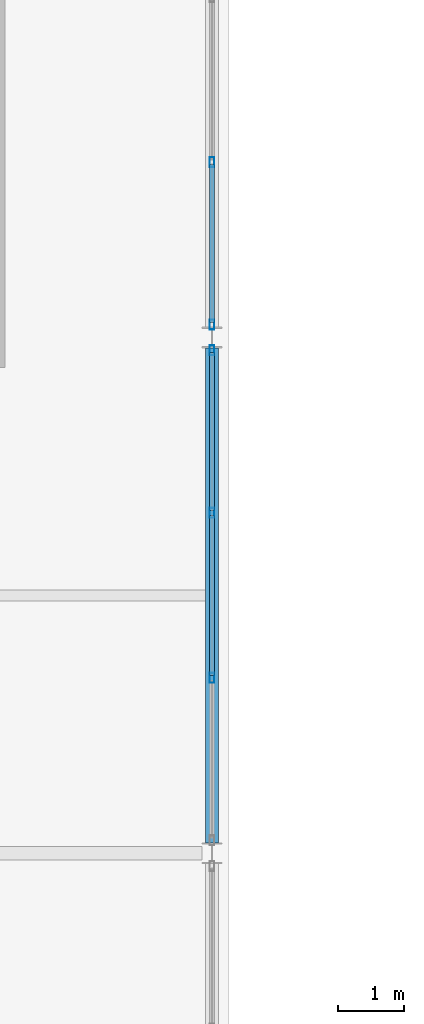
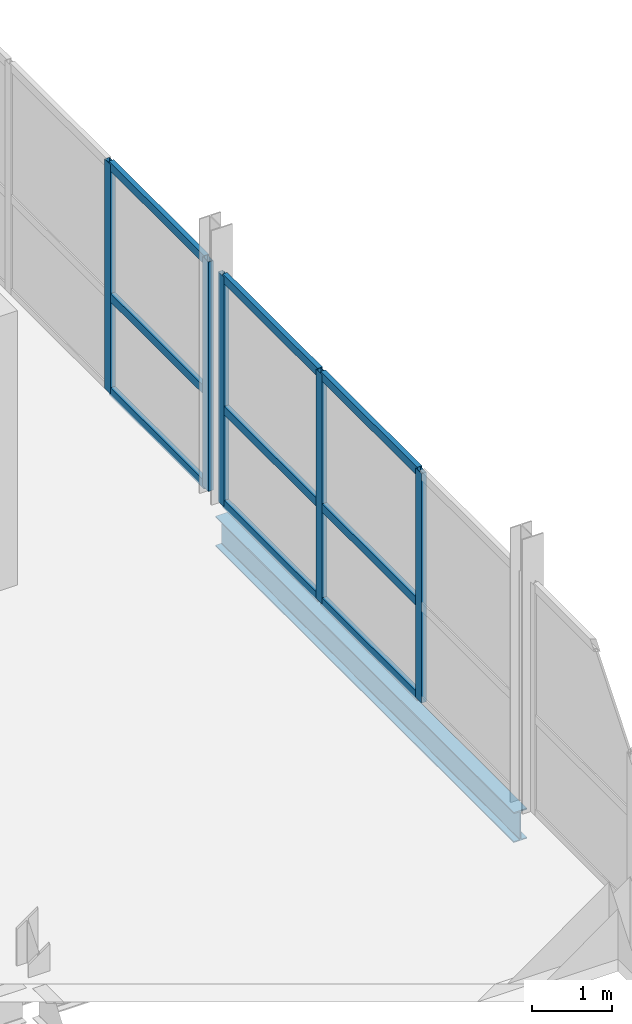
# One storey, part 10 of 65: 14 members, 1 beam, 2 elements without a shape of their own.
"""IFC4 building model written with IfcOpenShell, lengths in metres."""

from ifc_helpers import new_model, si_unit, direction, frame, origin, origin_2d, place, context, subcontext, project, spatial, hollow_rectangle, i_section, extrude, material, layer, layer_set, material_profile, profile_set, type_object, element, aggregate, save


model = new_model("IFC4")

# Units and contexts
model_context = context("Model", 3, precision=1e-05, world=origin(), true_north=direction((0.0, 1.0)))
body_context = subcontext(model_context, "Body", "Model", "MODEL_VIEW")
ifc_project = project(units=[si_unit("LENGTHUNIT", "METRE"), si_unit("AREAUNIT", "SQUARE_METRE"), si_unit("VOLUMEUNIT", "CUBIC_METRE"), si_unit("PLANEANGLEUNIT", "RADIAN"), si_unit("MASSUNIT", "GRAM", prefix="KILO")], contexts=[model_context])

# Site, building, storey
site_placement = place(None, origin())
site = spatial("IfcSite", under=ifc_project, at=site_placement, CompositionType="ELEMENT")
building_placement = place(site_placement, origin())
building = spatial("IfcBuilding", under=site, at=building_placement, Name="Quillay Park Conservatory", CompositionType="ELEMENT")
storey_placement = place(building_placement, frame((0.0, 0.0, 14.10009765625)))
storey = spatial("IfcBuildingStorey", under=building, at=storey_placement, Name="L03", CompositionType="ELEMENT", Elevation=14.10009765625)

# Curtain wall, members
ifc_material_1 = material(Name="Thermally Broken Anodised Aluminium 6063-T6", Category="aluminium")
ifc_layer = layer(ifc_material_1, 0.1650390625)
ifc_layer_set = layer_set([ifc_layer], Name="UNITISED CURTAIN WALL PODIUM (Thermally Broken Anodised Aluminium 6063-T6)")
curtain_wall_type = type_object("IfcCurtainWallType", Name="UNITISED CURTAIN WALL PODIUM", PredefinedType="USERDEFINED", material=ifc_layer_set)
curtain_wall_1_placement = place(storey_placement, origin())
curtain_wall_1 = element("IfcCurtainWall", 1, at=curtain_wall_1_placement, inside=storey, type_object=curtain_wall_type, Name="L03 Unitised Curtain Wall 212", ObjectType="UNITISED CURTAIN WALL", PredefinedType="USERDEFINED")
ifc_material_2 = material(Name="Thermally Broken Anodised Aluminium 6063-T6", Category="aluminium")
ifc_material_profile_1 = material_profile(ifc_material_2, hollow_rectangle(XDim=0.070068359375, YDim=0.14990234375, WallThickness=0.00341796875, at=origin_2d()), Name="AL70x150x3.5")
ifc_profile_set_1 = profile_set([ifc_material_profile_1], Name="Thermally Broken Anodised Aluminium 6063-T6")
member_type_1 = type_object("IfcMemberType", Name="CURTAIN WALL MULLION 70 X150", PredefinedType="MULLION", material=ifc_profile_set_1)
member_1_placement = place(storey_placement, frame((22.14990234375, 38.804931640625, 0.0), z_axis=(0.0, 0.0, 1.0), x_axis=(1.0, 0.0, 0.0)))
member_1 = element("IfcMember", 2, at=member_1_placement, type_object=member_type_1, Name="CW-P1 mullion 1", PredefinedType="MULLION", context=body_context, shape_type="SweptSolid", body=[
    extrude(hollow_rectangle(XDim=0.070068359375, YDim=0.14990234375, WallThickness=0.00341796875, at=origin_2d()), origin(), (0.0, 0.0, 1.0), 3.513916015625),
])
member_2_placement = place(storey_placement, frame((22.14990234375, 36.3466796875, 0.0), z_axis=(0.0, 0.0, 1.0), x_axis=(1.0, 0.0, 0.0)))
member_2 = element("IfcMember", 3, at=member_2_placement, type_object=member_type_1, Name="CW-P1 mullion 2", PredefinedType="MULLION", context=body_context, shape_type="SweptSolid", body=[
    extrude(hollow_rectangle(XDim=0.070068359375, YDim=0.14990234375, WallThickness=0.00341796875, at=origin_2d()), origin(), (0.0, 0.0, 1.0), 3.513916015625),
])
member_3_placement = place(storey_placement, frame((22.14990234375, 33.853271484375, 0.0), z_axis=(0.0, 0.0, 1.0), x_axis=(1.0, 0.0, 0.0)))
member_3 = element("IfcMember", 4, at=member_3_placement, type_object=member_type_1, Name="CW-P1 mullion 3", PredefinedType="MULLION", context=body_context, shape_type="SweptSolid", body=[
    extrude(hollow_rectangle(XDim=0.070068359375, YDim=0.14990234375, WallThickness=0.00341796875, at=origin_2d()), origin(), (0.0, 0.0, 1.0), 3.513916015625),
])

curtain_wall_2_placement = place(storey_placement, origin())
curtain_wall_2 = element("IfcCurtainWall", 5, at=curtain_wall_2_placement, inside=storey, type_object=curtain_wall_type, Name="L03 Unitised Curtain Wall 213", ObjectType="UNITISED CURTAIN WALL", PredefinedType="USERDEFINED")
member_4_placement = place(storey_placement, frame((22.14990234375, 41.6533203125, 0.0), z_axis=(0.0, 0.0, 1.0), x_axis=(1.0, 0.0, 0.0)))
member_4 = element("IfcMember", 6, at=member_4_placement, type_object=member_type_1, Name="CW-P1 mullion 3", PredefinedType="MULLION", context=body_context, shape_type="SweptSolid", body=[
    extrude(hollow_rectangle(XDim=0.070068359375, YDim=0.14990234375, WallThickness=0.00341796875, at=origin_2d()), origin(), (0.0, 0.0, 1.0), 3.513916015625),
])
member_5_placement = place(storey_placement, frame((22.14990234375, 39.195068359375, 0.0), z_axis=(0.0, 0.0, 1.0), x_axis=(1.0, 0.0, 0.0)))
member_5 = element("IfcMember", 7, at=member_5_placement, type_object=member_type_1, Name="CW-P1 mullion 4", PredefinedType="MULLION", context=body_context, shape_type="SweptSolid", body=[
    extrude(hollow_rectangle(XDim=0.070068359375, YDim=0.14990234375, WallThickness=0.00341796875, at=origin_2d()), origin(), (0.0, 0.0, 1.0), 3.513916015625),
])

# Member
ifc_material_3 = material(Name="Thermally Broken Anodised Aluminium 6063-T6", Category="aluminium")
ifc_material_profile_2 = material_profile(ifc_material_3, hollow_rectangle(XDim=0.070068359375, YDim=0.1298828125, WallThickness=0.003173828125, at=origin_2d()), Name="AL70x130x3.2")
ifc_profile_set_2 = profile_set([ifc_material_profile_2], Name="Thermally Broken Anodised Aluminium 6063-T6")
member_type_2 = type_object("IfcMemberType", Name="CURTAIN WALL TRANSOM 70 X130", PredefinedType="USERDEFINED", material=ifc_profile_set_2)
member_6_placement = place(storey_placement, frame((22.14990234375, 38.77001953125, 0.034912109375), z_axis=(0.0, -1.0, 0.0), x_axis=(1.0, 0.0, 0.0)))
member_6 = element("IfcMember", 8, at=member_6_placement, type_object=member_type_2, Name="CW-P1 transom 1.1", ObjectType="TRANSOM", PredefinedType="USERDEFINED", context=body_context, shape_type="SweptSolid", body=[
    extrude(hollow_rectangle(XDim=0.070068359375, YDim=0.1298828125, WallThickness=0.003173828125, at=origin_2d()), origin(), (0.0, 0.0, 1.0), 2.388427734375),
])

member_7_placement = place(storey_placement, frame((22.14990234375, 38.77001953125, 1.475830078125), z_axis=(0.0, -1.0, 0.0), x_axis=(1.0, 0.0, 0.0)))
member_7 = element("IfcMember", 9, at=member_7_placement, type_object=member_type_2, Name="CW-P1 transom 1.2", ObjectType="TRANSOM", PredefinedType="USERDEFINED", context=body_context, shape_type="SweptSolid", body=[
    extrude(hollow_rectangle(XDim=0.070068359375, YDim=0.1298828125, WallThickness=0.003173828125, at=origin_2d()), origin(), (0.0, 0.0, 1.0), 2.388427734375),
])

member_8_placement = place(storey_placement, frame((22.14990234375, 38.77001953125, 3.47900390625), z_axis=(0.0, -1.0, 0.0), x_axis=(1.0, 0.0, 0.0)))
member_8 = element("IfcMember", 10, at=member_8_placement, type_object=member_type_2, Name="CW-P1 transom 1.3", ObjectType="TRANSOM", PredefinedType="USERDEFINED", context=body_context, shape_type="SweptSolid", body=[
    extrude(hollow_rectangle(XDim=0.070068359375, YDim=0.1298828125, WallThickness=0.003173828125, at=origin_2d()), origin(), (0.0, 0.0, 1.0), 2.388427734375),
])

member_9_placement = place(storey_placement, frame((22.14990234375, 36.311767578125, 0.034912109375), z_axis=(0.0, -1.0, 0.0), x_axis=(1.0, 0.0, 0.0)))
member_9 = element("IfcMember", 11, at=member_9_placement, type_object=member_type_2, Name="CW-P1 transom 2.1", ObjectType="TRANSOM", PredefinedType="USERDEFINED", context=body_context, shape_type="SweptSolid", body=[
    extrude(hollow_rectangle(XDim=0.070068359375, YDim=0.1298828125, WallThickness=0.003173828125, at=origin_2d()), origin(), (0.0, 0.0, 1.0), 2.42333984375),
])

member_10_placement = place(storey_placement, frame((22.14990234375, 36.311767578125, 1.475830078125), z_axis=(0.0, -1.0, 0.0), x_axis=(1.0, 0.0, 0.0)))
member_10 = element("IfcMember", 12, at=member_10_placement, type_object=member_type_2, Name="CW-P1 transom 2.2", ObjectType="TRANSOM", PredefinedType="USERDEFINED", context=body_context, shape_type="SweptSolid", body=[
    extrude(hollow_rectangle(XDim=0.070068359375, YDim=0.1298828125, WallThickness=0.003173828125, at=origin_2d()), origin(), (0.0, 0.0, 1.0), 2.42333984375),
])

member_11_placement = place(storey_placement, frame((22.14990234375, 36.311767578125, 3.47900390625), z_axis=(0.0, -1.0, 0.0), x_axis=(1.0, 0.0, 0.0)))
member_11 = element("IfcMember", 13, at=member_11_placement, type_object=member_type_2, Name="CW-P1 transom 2.3", ObjectType="TRANSOM", PredefinedType="USERDEFINED", context=body_context, shape_type="SweptSolid", body=[
    extrude(hollow_rectangle(XDim=0.070068359375, YDim=0.1298828125, WallThickness=0.003173828125, at=origin_2d()), origin(), (0.0, 0.0, 1.0), 2.42333984375),
])

aggregate(curtain_wall_1, [member_1, member_2, member_3, member_6, member_7, member_8, member_9, member_10, member_11])

member_12_placement = place(storey_placement, frame((22.14990234375, 41.618408203125, 0.034912109375), z_axis=(0.0, -1.0, 0.0), x_axis=(1.0, 0.0, 0.0)))
member_12 = element("IfcMember", 14, at=member_12_placement, type_object=member_type_2, Name="CW-P1 transom 3.1", ObjectType="TRANSOM", PredefinedType="USERDEFINED", context=body_context, shape_type="SweptSolid", body=[
    extrude(hollow_rectangle(XDim=0.070068359375, YDim=0.1298828125, WallThickness=0.003173828125, at=origin_2d()), origin(), (0.0, 0.0, 1.0), 2.388427734375),
])

member_13_placement = place(storey_placement, frame((22.14990234375, 41.618408203125, 1.475830078125), z_axis=(0.0, -1.0, 0.0), x_axis=(1.0, 0.0, 0.0)))
member_13 = element("IfcMember", 15, at=member_13_placement, type_object=member_type_2, Name="CW-P1 transom 3.2", ObjectType="TRANSOM", PredefinedType="USERDEFINED", context=body_context, shape_type="SweptSolid", body=[
    extrude(hollow_rectangle(XDim=0.070068359375, YDim=0.1298828125, WallThickness=0.003173828125, at=origin_2d()), origin(), (0.0, 0.0, 1.0), 2.388427734375),
])

member_14_placement = place(storey_placement, frame((22.14990234375, 41.618408203125, 3.47900390625), z_axis=(0.0, -1.0, 0.0), x_axis=(1.0, 0.0, 0.0)))
member_14 = element("IfcMember", 16, at=member_14_placement, type_object=member_type_2, Name="CW-P1 transom 3.3", ObjectType="TRANSOM", PredefinedType="USERDEFINED", context=body_context, shape_type="SweptSolid", body=[
    extrude(hollow_rectangle(XDim=0.070068359375, YDim=0.1298828125, WallThickness=0.003173828125, at=origin_2d()), origin(), (0.0, 0.0, 1.0), 2.388427734375),
])

aggregate(curtain_wall_2, [member_4, member_5, member_12, member_13, member_14])

# Beam
ifc_material_4 = material(Name="Steel ASTM A992 Grade 50", Category="steel")
ifc_material_profile_3 = material_profile(ifc_material_4, i_section(OverallWidth=0.19189453125, OverallDepth=0.462890625, WebThickness=0.010498046875, FlangeThickness=0.017578125, FilletRadius=0.012939453125, at=origin_2d()), Name="W460x89")
ifc_profile_set_3 = profile_set([ifc_material_profile_3], Name="Steel ASTM A992 Grade 50")
beam_type = type_object("IfcBeamType", Name="PRIMARY FLOOR GIRDER W460 X89", PredefinedType="BEAM", material=ifc_profile_set_3)
beam_placement = place(storey_placement, frame((22.14990234375, 31.35693359375, -0.41650390625), z_axis=(0.0, 1.0, 0.0), x_axis=(-1.0, 0.0, 0.0)))
element("IfcBeam", 17, at=beam_placement, inside=storey, type_object=beam_type, Name="L03 beam BM-V3Y-1448", PredefinedType="BEAM", context=body_context, shape_type="SweptSolid", body=[
    extrude(i_section(OverallWidth=0.19189453125, OverallDepth=0.462890625, WebThickness=0.010498046875, FlangeThickness=0.017578125, FilletRadius=0.012939453125, at=origin_2d()), origin(), (0.0, 0.0, 1.0), 7.486083984375),
])

save(model, "model.ifc")
